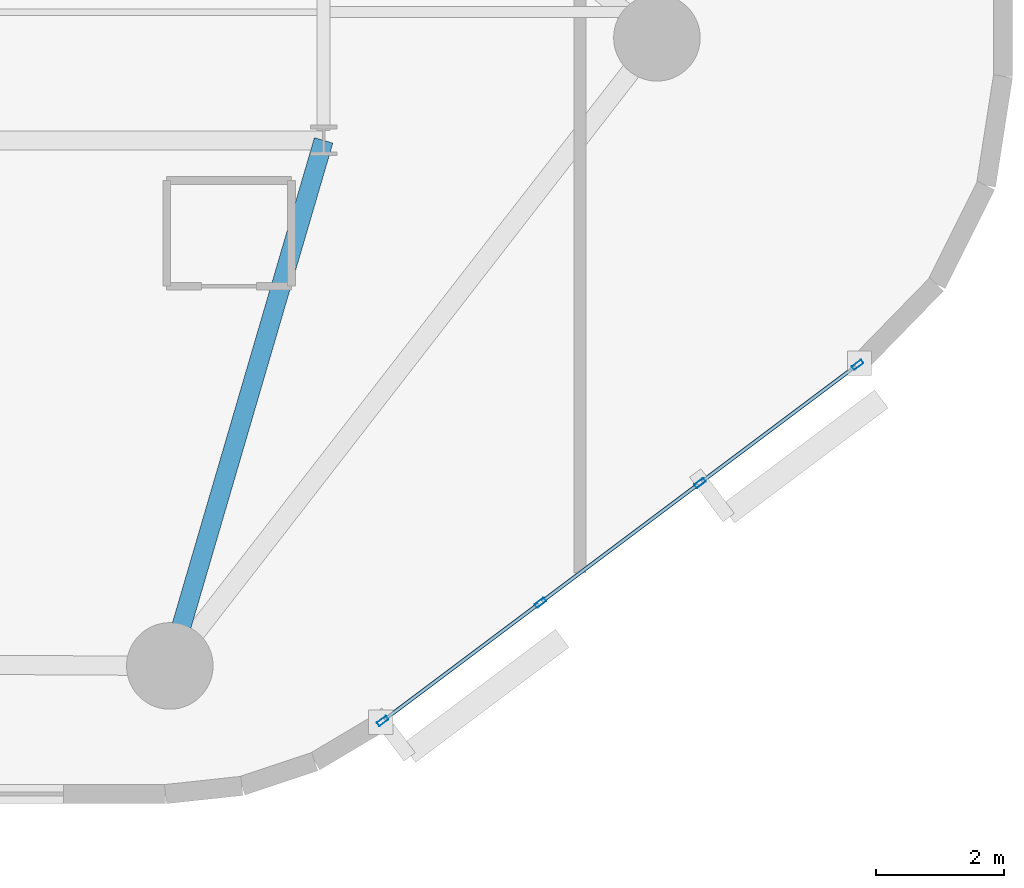
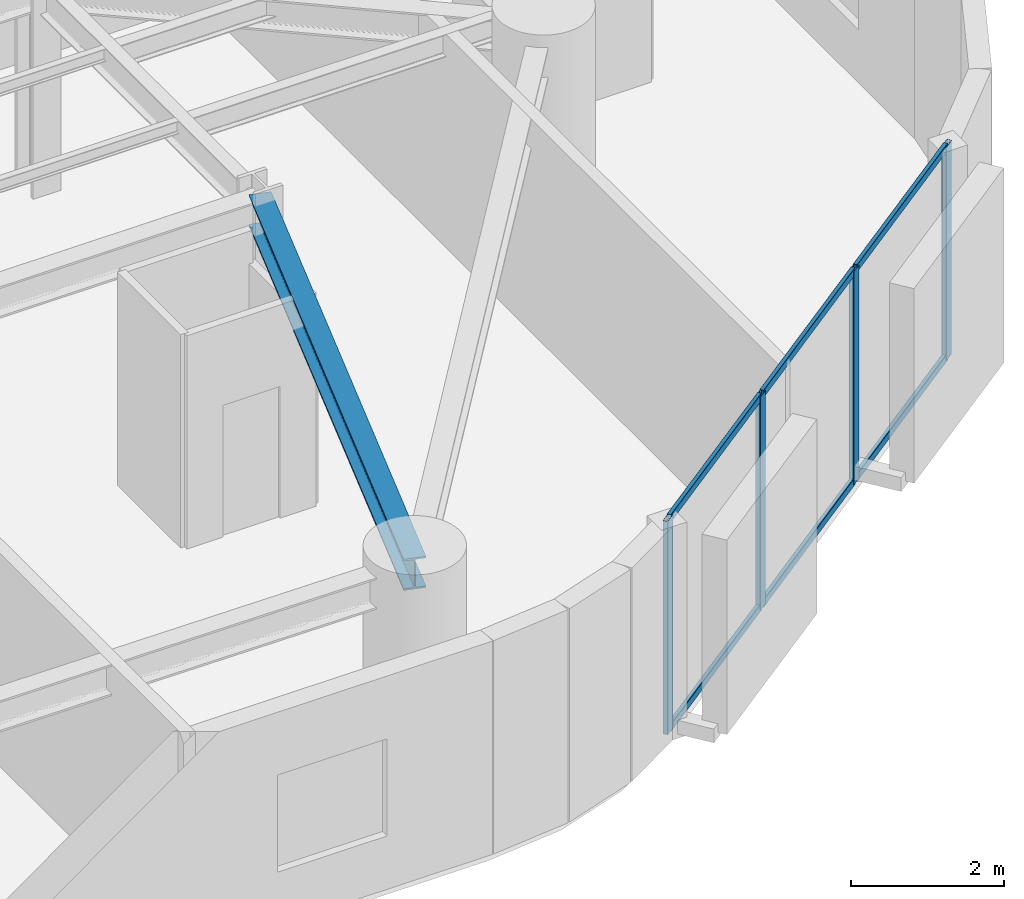
# One storey, part 2 of 14: 10 members, 1 beam, 1 element without a shape of its own.
"""IFC4 building model written with IfcOpenShell, lengths in metres."""

from ifc_helpers import new_model, si_unit, direction, frame, origin, origin_2d, place, context, subcontext, project, spatial, hollow_rectangle, i_section, extrude, material, layer, layer_set, material_profile, profile_set, type_object, element, aggregate, save


model = new_model("IFC4")

# Units and contexts
model_context = context("Model", 3, precision=1e-05, world=origin(), true_north=direction((0.0, 1.0)))
body_context = subcontext(model_context, "Body", "Model", "MODEL_VIEW")
ifc_project = project(units=[si_unit("LENGTHUNIT", "METRE"), si_unit("AREAUNIT", "SQUARE_METRE"), si_unit("VOLUMEUNIT", "CUBIC_METRE"), si_unit("PLANEANGLEUNIT", "RADIAN"), si_unit("MASSUNIT", "GRAM", prefix="KILO")], contexts=[model_context])

# Site, building, storey
site_placement = place(None, origin())
site = spatial("IfcSite", under=ifc_project, at=site_placement, CompositionType="ELEMENT")
building_placement = place(site_placement, origin())
building = spatial("IfcBuilding", under=site, at=building_placement, Name="An Khanh Terracotta Commons", CompositionType="ELEMENT")
storey_placement = place(building_placement, frame((0.0, 0.0, 104.300048828125)))
storey = spatial("IfcBuildingStorey", under=building, at=storey_placement, Name="L27", CompositionType="ELEMENT", Elevation=104.300048828125)

# Beam
ifc_material_1 = material(Name="Steel S355J2", Category="steel")
ifc_material_profile_1 = material_profile(ifc_material_1, i_section(OverallWidth=0.300048828125, OverallDepth=0.5, WebThickness=0.014404296875, FlangeThickness=0.028076171875, FilletRadius=0.027099609375, at=origin_2d()), Name="HEB500")
ifc_profile_set_1 = profile_set([ifc_material_profile_1], Name="Steel S355J2")
beam_type = type_object("IfcBeamType", Name="BM-HEB500", PredefinedType="BEAM", material=ifc_profile_set_1)
beam_placement = place(storey_placement, frame((44.39990234375, 6.199951171875, 3.14990234375), z_axis=(0.280916085823, 0.959732333896, 0.0), x_axis=(-0.959732333896, 0.280916085823, 0.0)))
element("IfcBeam", 1, at=beam_placement, inside=storey, type_object=beam_type, Name="L27 Mega-Column Tie Girder 2", PredefinedType="BEAM", context=body_context, shape_type="SweptSolid", body=[
    extrude(i_section(OverallWidth=0.300048828125, OverallDepth=0.5, WebThickness=0.014404296875, FlangeThickness=0.028076171875, FilletRadius=0.027099609375, at=origin_2d()), origin(), (0.0, 0.0, 1.0), 8.5439453125),
])

# Curtain wall, members
ifc_material_2 = material(Name="Anodised Aluminium 6063-T6", Category="aluminium")
ifc_layer = layer(ifc_material_2, 0.199951171875, Name="Anodised Aluminium 6063-T6")
ifc_layer_set = layer_set([ifc_layer], Name="Anodised Aluminium 6063-T6")
curtain_wall_type = type_object("IfcCurtainWallType", Name="CW-SYS-02", PredefinedType="USERDEFINED", material=ifc_layer_set)
curtain_wall_placement = place(storey_placement, origin())
curtain_wall = element("IfcCurtainWall", 2, at=curtain_wall_placement, inside=storey, type_object=curtain_wall_type, Name="L27 CW-02 Unitised Curtain Wall CW-L27-08", ObjectType="UNITISED CURTAIN WALL", PredefinedType="USERDEFINED")
ifc_material_profile_2 = material_profile(ifc_material_2, hollow_rectangle(XDim=0.070068359375, YDim=0.179931640625, WallThickness=0.00390625, InnerFilletRadius=0.00390625, OuterFilletRadius=0.008056640625, at=origin_2d()), Name="RHS180x70x4")
ifc_profile_set_2 = profile_set([ifc_material_profile_2], Name="Anodised Aluminium 6063-T6")
member_type_1 = type_object("IfcMemberType", Name="CWM-RHS180x70x4", PredefinedType="MULLION", material=ifc_profile_set_2)
member_1_placement = place(storey_placement, frame((47.720947265625, 5.341064453125, 0.0), z_axis=(0.0, 0.0, 1.0), x_axis=(-0.599982857492, 0.800012856594, 0.0)))
member_1 = element("IfcMember", 3, at=member_1_placement, type_object=member_type_1, Name="CW-02 mullion 1", PredefinedType="MULLION", context=body_context, shape_type="SweptSolid", body=[
    extrude(hollow_rectangle(XDim=0.070068359375, YDim=0.179931640625, WallThickness=0.00390625, InnerFilletRadius=0.00390625, OuterFilletRadius=0.008056640625, at=origin_2d()), origin(), (0.0, 0.0, 1.0), 3.39990234375),
])
member_2_placement = place(storey_placement, frame((50.181884765625, 7.186767578125, 0.0), z_axis=(0.0, 0.0, 1.0), x_axis=(-0.599982857492, 0.800012856594, 0.0)))
member_2 = element("IfcMember", 4, at=member_2_placement, type_object=member_type_1, Name="CW-02 mullion 2", PredefinedType="MULLION", context=body_context, shape_type="SweptSolid", body=[
    extrude(hollow_rectangle(XDim=0.070068359375, YDim=0.179931640625, WallThickness=0.00390625, InnerFilletRadius=0.00390625, OuterFilletRadius=0.008056640625, at=origin_2d()), origin(), (0.0, 0.0, 1.0), 3.39990234375),
])
member_3_placement = place(storey_placement, frame((52.6708984375, 9.05322265625, 0.0), z_axis=(0.0, 0.0, 1.0), x_axis=(-0.599982857492, 0.800012856594, 0.0)))
member_3 = element("IfcMember", 5, at=member_3_placement, type_object=member_type_1, Name="CW-02 mullion 3", PredefinedType="MULLION", context=body_context, shape_type="SweptSolid", body=[
    extrude(hollow_rectangle(XDim=0.070068359375, YDim=0.179931640625, WallThickness=0.00390625, InnerFilletRadius=0.00390625, OuterFilletRadius=0.008056640625, at=origin_2d()), origin(), (0.0, 0.0, 1.0), 3.39990234375),
])
member_4_placement = place(storey_placement, frame((55.132080078125, 10.89892578125, 0.0), z_axis=(0.0, 0.0, 1.0), x_axis=(-0.599982857492, 0.800012856594, 0.0)))
member_4 = element("IfcMember", 6, at=member_4_placement, type_object=member_type_1, Name="CW-02 mullion 4", PredefinedType="MULLION", context=body_context, shape_type="SweptSolid", body=[
    extrude(hollow_rectangle(XDim=0.070068359375, YDim=0.179931640625, WallThickness=0.00390625, InnerFilletRadius=0.00390625, OuterFilletRadius=0.008056640625, at=origin_2d()), origin(), (0.0, 0.0, 1.0), 3.39990234375),
])
ifc_material_profile_3 = material_profile(ifc_material_2, hollow_rectangle(XDim=0.06005859375, YDim=0.1201171875, WallThickness=0.003662109375, InnerFilletRadius=0.003662109375, OuterFilletRadius=0.007080078125, at=origin_2d()), Name="RHS120x60x3.6")
ifc_profile_set_3 = profile_set([ifc_material_profile_3], Name="Anodised Aluminium 6063-T6")
member_type_2 = type_object("IfcMemberType", Name="CWT-RHS120x60x3.6", PredefinedType="USERDEFINED", material=ifc_profile_set_3)
member_5_placement = place(storey_placement, frame((47.7490234375, 5.362060546875, 0.030029296875), z_axis=(0.800009745217, 0.599987006158, 0.0), x_axis=(-0.599987006158, 0.800009745217, 0.0)))
member_5 = element("IfcMember", 7, at=member_5_placement, type_object=member_type_2, Name="CW-02 transom 1.1", ObjectType="TRANSOM", PredefinedType="USERDEFINED", context=body_context, shape_type="SweptSolid", body=[
    extrude(hollow_rectangle(XDim=0.06005859375, YDim=0.1201171875, WallThickness=0.003662109375, InnerFilletRadius=0.003662109375, OuterFilletRadius=0.007080078125, at=origin_2d()), origin(), (0.0, 0.0, 1.0), 3.00634765625),
])
member_6_placement = place(storey_placement, frame((47.7490234375, 5.362060546875, 3.369873046875), z_axis=(0.800009745217, 0.599987006158, 0.0), x_axis=(-0.599987006158, 0.800009745217, 0.0)))
member_6 = element("IfcMember", 8, at=member_6_placement, type_object=member_type_2, Name="CW-02 transom 1.2", ObjectType="TRANSOM", PredefinedType="USERDEFINED", context=body_context, shape_type="SweptSolid", body=[
    extrude(hollow_rectangle(XDim=0.06005859375, YDim=0.1201171875, WallThickness=0.003662109375, InnerFilletRadius=0.003662109375, OuterFilletRadius=0.007080078125, at=origin_2d()), origin(), (0.0, 0.0, 1.0), 3.00634765625),
])
member_7_placement = place(storey_placement, frame((50.2099609375, 7.207763671875, 0.030029296875), z_axis=(0.800057796972, 0.599922929638, 0.0), x_axis=(-0.599922929638, 0.800057796972, 0.0)))
member_7 = element("IfcMember", 9, at=member_7_placement, type_object=member_type_2, Name="CW-02 transom 2.1", ObjectType="TRANSOM", PredefinedType="USERDEFINED", context=body_context, shape_type="SweptSolid", body=[
    extrude(hollow_rectangle(XDim=0.06005859375, YDim=0.1201171875, WallThickness=0.003662109375, InnerFilletRadius=0.003662109375, OuterFilletRadius=0.007080078125, at=origin_2d()), origin(), (0.0, 0.0, 1.0), 3.041259765625),
])
member_8_placement = place(storey_placement, frame((50.2099609375, 7.207763671875, 3.369873046875), z_axis=(0.800057796972, 0.599922929638, 0.0), x_axis=(-0.599922929638, 0.800057796972, 0.0)))
member_8 = element("IfcMember", 10, at=member_8_placement, type_object=member_type_2, Name="CW-02 transom 2.2", ObjectType="TRANSOM", PredefinedType="USERDEFINED", context=body_context, shape_type="SweptSolid", body=[
    extrude(hollow_rectangle(XDim=0.06005859375, YDim=0.1201171875, WallThickness=0.003662109375, InnerFilletRadius=0.003662109375, OuterFilletRadius=0.007080078125, at=origin_2d()), origin(), (0.0, 0.0, 1.0), 3.041259765625),
])
member_9_placement = place(storey_placement, frame((52.698974609375, 9.07421875, 0.030029296875), z_axis=(0.800009745217, 0.599987006158, 0.0), x_axis=(-0.599987006158, 0.800009745217, 0.0)))
member_9 = element("IfcMember", 11, at=member_9_placement, type_object=member_type_2, Name="CW-02 transom 3.1", ObjectType="TRANSOM", PredefinedType="USERDEFINED", context=body_context, shape_type="SweptSolid", body=[
    extrude(hollow_rectangle(XDim=0.06005859375, YDim=0.1201171875, WallThickness=0.003662109375, InnerFilletRadius=0.003662109375, OuterFilletRadius=0.007080078125, at=origin_2d()), origin(), (0.0, 0.0, 1.0), 3.00634765625),
])
member_10_placement = place(storey_placement, frame((52.698974609375, 9.07421875, 3.369873046875), z_axis=(0.800009745217, 0.599987006158, 0.0), x_axis=(-0.599987006158, 0.800009745217, 0.0)))
member_10 = element("IfcMember", 12, at=member_10_placement, type_object=member_type_2, Name="CW-02 transom 3.2", ObjectType="TRANSOM", PredefinedType="USERDEFINED", context=body_context, shape_type="SweptSolid", body=[
    extrude(hollow_rectangle(XDim=0.06005859375, YDim=0.1201171875, WallThickness=0.003662109375, InnerFilletRadius=0.003662109375, OuterFilletRadius=0.007080078125, at=origin_2d()), origin(), (0.0, 0.0, 1.0), 3.00634765625),
])
aggregate(curtain_wall, [member_1, member_2, member_3, member_4, member_5, member_6, member_7, member_8, member_9, member_10])

save(model, "model.ifc")
